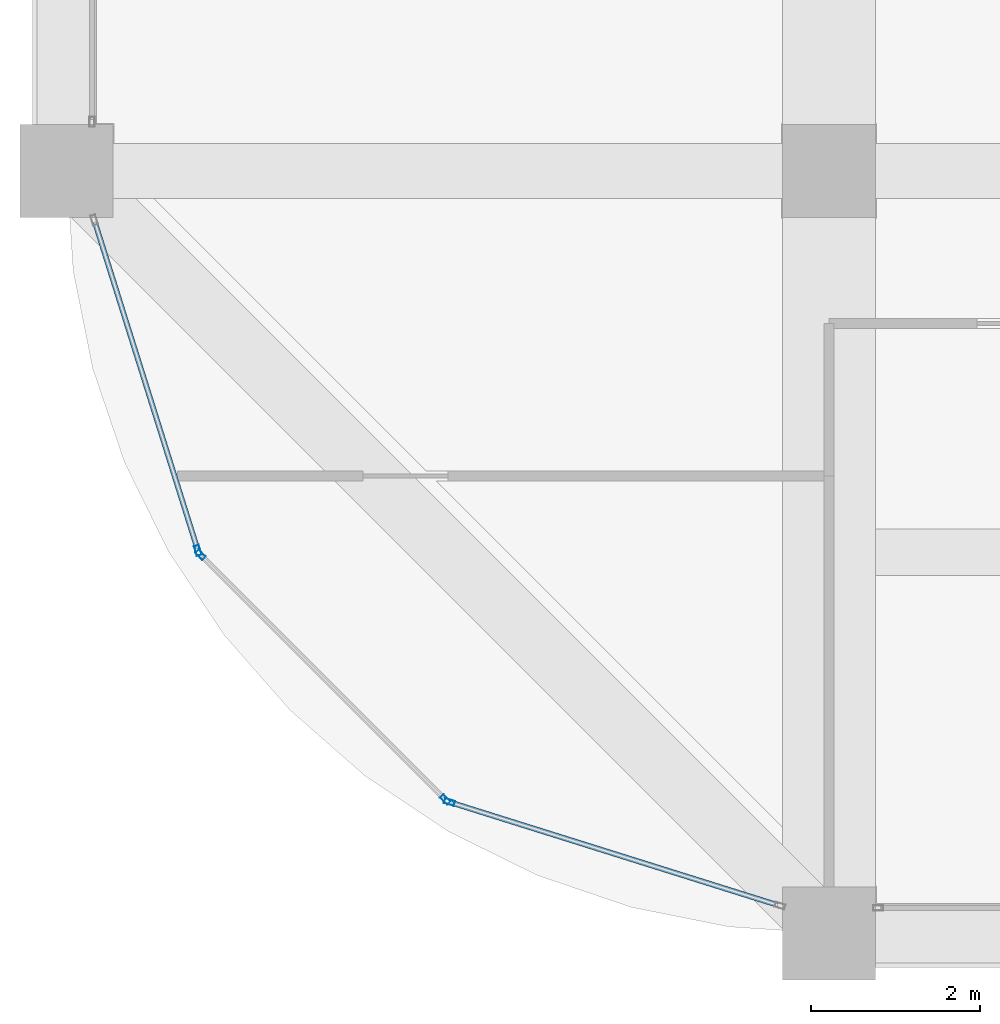
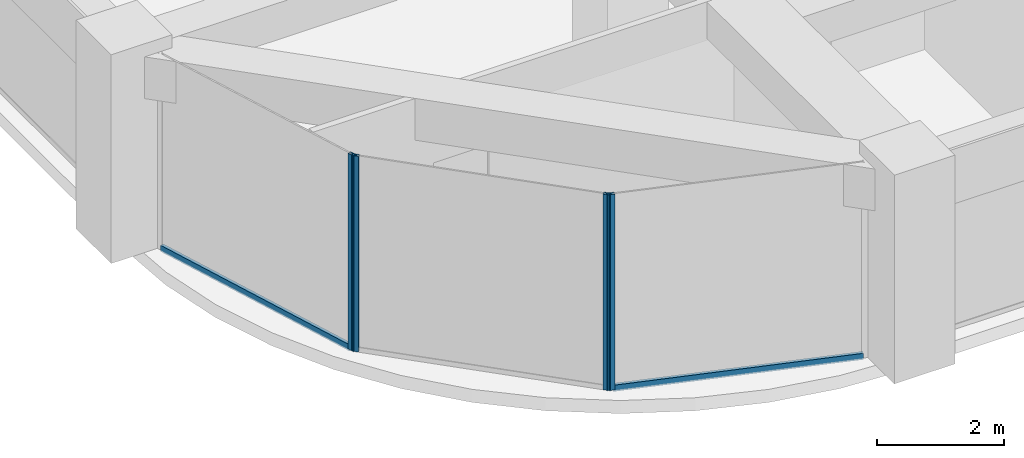
# One storey, part 2 of 44: 6 members, 3 elements without a shape of their own.
"""IFC4 building model written with IfcOpenShell, lengths in metres."""

from ifc_helpers import new_model, si_unit, direction, frame, origin, origin_2d, place, context, subcontext, project, spatial, hollow_rectangle, extrude, material, material_profile, profile_set, type_object, element, aggregate, save


model = new_model("IFC4")

# Units and contexts
model_context = context("Model", 3, precision=1e-05, world=origin(), true_north=direction((0.0, 1.0)))
body_context = subcontext(model_context, "Body", "Model", "MODEL_VIEW")
ifc_project = project(units=[si_unit("LENGTHUNIT", "METRE"), si_unit("AREAUNIT", "SQUARE_METRE"), si_unit("VOLUMEUNIT", "CUBIC_METRE"), si_unit("PLANEANGLEUNIT", "RADIAN"), si_unit("MASSUNIT", "GRAM", prefix="KILO")], contexts=[model_context])

# Site, building, storey
site_placement = place(None, origin())
site = spatial("IfcSite", under=ifc_project, at=site_placement, CompositionType="ELEMENT")
building_placement = place(site_placement, origin())
building = spatial("IfcBuilding", under=site, at=building_placement, Name="Zorevar Civic Tower", CompositionType="ELEMENT")
storey_placement = place(building_placement, frame((0.0, 0.0, 299.39990234375)))
storey = spatial("IfcBuildingStorey", under=building, at=storey_placement, Name="L73", CompositionType="ELEMENT", Elevation=299.39990234375)

# Curtain wall, member
ifc_material_1 = material(Name="Dark grey solar-control glass in black aluminium frame", Category="aluminium")
curtain_wall_type = type_object("IfcCurtainWallType", Name="Curtain wall CW5 top zone", PredefinedType="NOTDEFINED", material=ifc_material_1)
curtain_wall_1_placement = place(storey_placement, origin())
curtain_wall_1 = element("IfcCurtainWall", 1, at=curtain_wall_1_placement, inside=storey, type_object=curtain_wall_type, Name="CW5 L73", PredefinedType="NOTDEFINED")
ifc_material_2 = material(Name="Aluminium, black anodised", Category="aluminium")
ifc_material_profile_1 = material_profile(ifc_material_2, hollow_rectangle(XDim=0.06005859375, YDim=0.1201171875, WallThickness=0.0029296875, at=origin_2d()), Name="AL 120x60x3")
ifc_profile_set_1 = profile_set([ifc_material_profile_1], Name="Aluminium, black anodised")
member_type_1 = type_object("IfcMemberType", Name="CW5 mullion AL 120x60x3", PredefinedType="MULLION", material=ifc_profile_set_1)
member_1_placement = place(storey_placement, frame((10.550048828125, 4.520751953125, 0.0), z_axis=(0.0, 0.0, 1.0), x_axis=(0.954153437674, 0.299317920238, 0.0)))
member_1 = element("IfcMember", 2, at=member_1_placement, type_object=member_type_1, Name="CW5 mullion 2", PredefinedType="MULLION", context=body_context, shape_type="SweptSolid", body=[
    extrude(hollow_rectangle(XDim=0.06005859375, YDim=0.1201171875, WallThickness=0.0029296875, at=origin_2d()), origin(), (0.0, 0.0, 1.0), 3.75),
])

# Curtain wall, members
curtain_wall_2_placement = place(storey_placement, origin())
curtain_wall_2 = element("IfcCurtainWall", 3, at=curtain_wall_2_placement, inside=storey, type_object=curtain_wall_type, Name="CW5 L73", PredefinedType="NOTDEFINED")
member_2_placement = place(storey_placement, frame((10.580322265625, 4.470947265625, 0.0), z_axis=(0.0, 0.0, 1.0), x_axis=(0.707106781187, 0.707106781187, 0.0)))
member_2 = element("IfcMember", 4, at=member_2_placement, type_object=member_type_1, Name="CW5 mullion 1", PredefinedType="MULLION", context=body_context, shape_type="SweptSolid", body=[
    extrude(hollow_rectangle(XDim=0.06005859375, YDim=0.1201171875, WallThickness=0.0029296875, at=origin_2d()), origin(), (0.0, 0.0, 1.0), 3.75),
])
member_3_placement = place(storey_placement, frame((13.470947265625, 1.580322265625, 0.0), z_axis=(0.0, 0.0, 1.0), x_axis=(0.707106781187, 0.707106781187, 0.0)))
member_3 = element("IfcMember", 5, at=member_3_placement, type_object=member_type_1, Name="CW5 mullion 2", PredefinedType="MULLION", context=body_context, shape_type="SweptSolid", body=[
    extrude(hollow_rectangle(XDim=0.06005859375, YDim=0.1201171875, WallThickness=0.0029296875, at=origin_2d()), origin(), (0.0, 0.0, 1.0), 3.75),
])
aggregate(curtain_wall_2, [member_2, member_3])

# Curtain wall, member
curtain_wall_3_placement = place(storey_placement, origin())
curtain_wall_3 = element("IfcCurtainWall", 6, at=curtain_wall_3_placement, inside=storey, type_object=curtain_wall_type, Name="CW5 L73", PredefinedType="NOTDEFINED")
member_4_placement = place(storey_placement, frame((13.520751953125, 1.550048828125, 0.0), z_axis=(0.0, 0.0, 1.0), x_axis=(0.299317920238, 0.954153437674, 0.0)))
member_4 = element("IfcMember", 7, at=member_4_placement, type_object=member_type_1, Name="CW5 mullion 1", PredefinedType="MULLION", context=body_context, shape_type="SweptSolid", body=[
    extrude(hollow_rectangle(XDim=0.06005859375, YDim=0.1201171875, WallThickness=0.0029296875, at=origin_2d()), origin(), (0.0, 0.0, 1.0), 3.75),
])

# Member
ifc_material_3 = material(Name="Aluminium, black anodised", Category="aluminium")
ifc_material_profile_2 = material_profile(ifc_material_3, hollow_rectangle(XDim=0.06005859375, YDim=0.1201171875, WallThickness=0.0029296875, at=origin_2d()), Name="AL 120x60x3")
ifc_profile_set_2 = profile_set([ifc_material_profile_2], Name="Aluminium, black anodised")
member_type_2 = type_object("IfcMemberType", Name="CW5 transom AL 120x60x3", PredefinedType="USERDEFINED", material=ifc_profile_set_2)
member_5_placement = place(storey_placement, frame((9.33544921875, 8.392822265625, 0.030029296875), z_axis=(0.299285978047, -0.954163457351, 0.0), x_axis=(0.954163457351, 0.299285978047, 0.0)))
member_5 = element("IfcMember", 8, at=member_5_placement, type_object=member_type_2, Name="CW5 sill transom", ObjectType="TRANSOM", PredefinedType="USERDEFINED", context=body_context, shape_type="SweptSolid", body=[
    extrude(hollow_rectangle(XDim=0.06005859375, YDim=0.1201171875, WallThickness=0.0029296875, at=origin_2d()), origin(), (0.0, 0.0, 1.0), 4.028076171875),
])

aggregate(curtain_wall_1, [member_1, member_5])

member_6_placement = place(storey_placement, frame((13.54931640625, 1.541015625, 0.030029296875), z_axis=(0.954163457351, -0.299285978047, 0.0), x_axis=(0.299285978047, 0.954163457351, 0.0)))
member_6 = element("IfcMember", 9, at=member_6_placement, type_object=member_type_2, Name="CW5 sill transom", ObjectType="TRANSOM", PredefinedType="USERDEFINED", context=body_context, shape_type="SweptSolid", body=[
    extrude(hollow_rectangle(XDim=0.06005859375, YDim=0.1201171875, WallThickness=0.0029296875, at=origin_2d()), origin(), (0.0, 0.0, 1.0), 4.028076171875),
])

aggregate(curtain_wall_3, [member_4, member_6])

save(model, "model.ifc")
